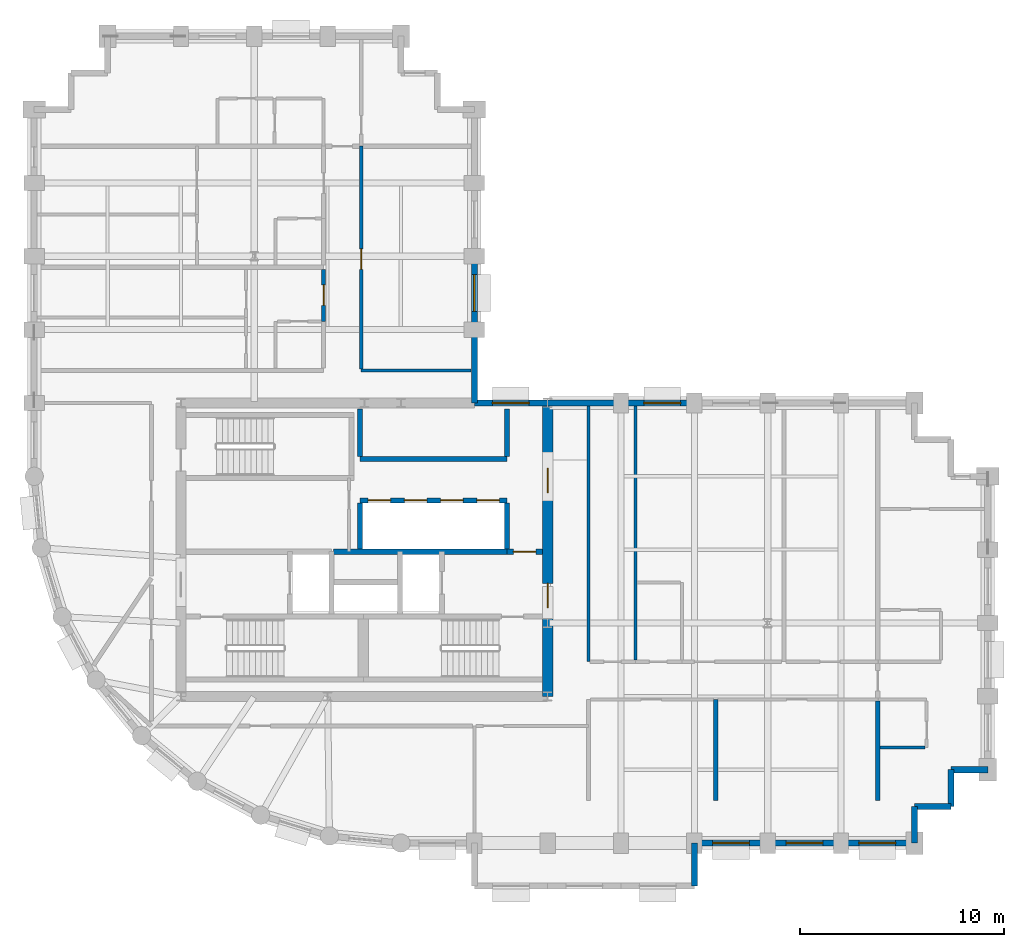
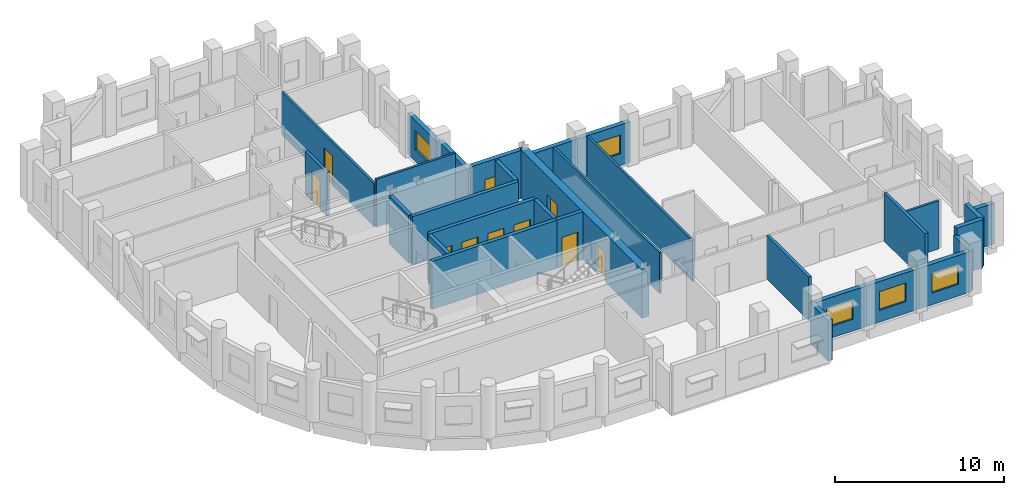
# One storey, part 5 of 11: 30 walls, 9 doors, 6 windows, 15 openings.
"""IFC4 building model written with IfcOpenShell, lengths in metres."""

from ifc_helpers import new_model, si_unit, direction, frame, frame_2d, origin, place, context, subcontext, project, spatial, rectangle, extrude, material, layer, layer_set, type_object, element, fill, save


model = new_model("IFC4")

# Units and contexts
model_context = context("Model", 3, precision=1e-05, world=origin(), true_north=direction((0.0, 1.0)))
body_context = subcontext(model_context, "Body", "Model", "MODEL_VIEW")
ifc_project = project(units=[si_unit("LENGTHUNIT", "METRE"), si_unit("AREAUNIT", "SQUARE_METRE"), si_unit("VOLUMEUNIT", "CUBIC_METRE"), si_unit("PLANEANGLEUNIT", "RADIAN"), si_unit("MASSUNIT", "GRAM", prefix="KILO")], contexts=[model_context])

# Site, building, storey
site_placement = place(None, origin())
site = spatial("IfcSite", under=ifc_project, at=site_placement, CompositionType="ELEMENT")
building_placement = place(site_placement, origin())
building = spatial("IfcBuilding", under=site, at=building_placement, Name="Solnavia Interchange Tower", CompositionType="ELEMENT")
storey_placement = place(building_placement, frame((0.0, 0.0, 165.60009765625)))
storey = spatial("IfcBuildingStorey", under=building, at=storey_placement, Name="L41", CompositionType="ELEMENT", Elevation=165.60009765625)

# Walls
ifc_material_1 = material(Name="Gypsum Acoustic Twin-Stud & Mineral Wool", Category="gypsum")
ifc_layer_1 = layer(ifc_material_1, 0.199951171875)
ifc_layer_set_1 = layer_set([ifc_layer_1], Name="Gypsum Acoustic Twin-Stud & Mineral Wool")
wall_type_1 = type_object("IfcWallType", Name="Wall-ApartmentParty-200", PredefinedType="PARTITIONING", material=ifc_layer_set_1)
wall_1_placement = place(storey_placement, frame((40.64990234375, 5.699951171875, 0.0), z_axis=(0.0, 0.0, 1.0), x_axis=(0.0, 1.0, 0.0)))
element("IfcWall", 1, at=wall_1_placement, inside=storey, type_object=wall_type_1, Name="PTW-L41-16 Interior partition wall", PredefinedType="PARTITIONING", context=body_context, shape_type="SweptSolid", body=[
    extrude(rectangle(XDim=4.949951171875, YDim=0.199951171875, at=frame_2d((2.47509765625, 0.0))), origin(), (0.0, 0.0, 1.0), 3.1298828125),
])
wall_2_placement = place(storey_placement, frame((48.60009765625, 5.699951171875, 0.0), z_axis=(0.0, 0.0, 1.0), x_axis=(0.0, 1.0, 0.0)))
element("IfcWall", 2, at=wall_2_placement, inside=storey, type_object=wall_type_1, Name="PTW-L41-22 Interior partition wall", PredefinedType="PARTITIONING", context=body_context, shape_type="SweptSolid", body=[
    extrude(rectangle(XDim=4.87109375, YDim=0.199951171875, at=frame_2d((2.435546875, 0.0))), origin(), (0.0, 0.0, 1.0), 3.46484375),
])

# Wall, opening, door
wall_3_placement = place(storey_placement, frame((21.39990234375, 29.199951171875, 0.0), z_axis=(0.0, 0.0, 1.0), x_axis=(0.0, 1.0, 0.0)))
wall_3 = element("IfcWall", 3, at=wall_3_placement, inside=storey, type_object=wall_type_1, Name="PTW-L41-37 Interior partition wall", PredefinedType="PARTITIONING", context=body_context, shape_type="SweptSolid", body=[
    extrude(rectangle(XDim=2.55615234375, YDim=0.199951171875, at=frame_2d((1.278076171875, 0.0))), origin(), (0.0, 0.0, 1.0), 3.1298828125),
])
opening_1_placement = place(wall_3_placement, frame((0.7939453125, 0.0, 0.0)))
opening_1 = element("IfcOpeningElement", 4, at=opening_1_placement, cuts=wall_3, Name="Opening DR-06", PredefinedType="OPENING", context=body_context, shape_type="SweptSolid", body=[
    extrude(rectangle(XDim=1.0, YDim=2.10009765625, at=frame_2d((0.5, 1.050048828125))), frame((0.0, 0.10986328125, 0.0), z_axis=(0.0, -1.0, 0.0), x_axis=(1.0, 0.0, 0.0)), (0.0, 0.0, 1.0), 0.219970703125),
])
ifc_material_2 = material(Name="Engineered Timber Acoustic Fire Door", Category="wood")
door_type_1 = type_object("IfcDoorType", Name="Door-FlatEntry-1000x2100", OperationType="SINGLE_SWING_LEFT", PredefinedType="DOOR", material=ifc_material_2)
door_1_placement = place(opening_1_placement, origin())
door_1 = element("IfcDoor", 5, at=door_1_placement, inside=storey, type_object=door_type_1, Name="DR-L41-16 Interior room door", OperationType="SINGLE_SWING_RIGHT", OverallHeight=2.10009765625, OverallWidth=1.0, PredefinedType="DOOR", context=body_context, shape_type="SweptSolid", body=[
    extrude(rectangle(XDim=1.0, YDim=2.10009765625, at=frame_2d((0.5, 1.050048828125))), frame((0.0, 0.02490234375, 0.0), z_axis=(0.0, -1.0, 0.0), x_axis=(1.0, 0.0, 0.0)), (0.0, 0.0, 1.0), 0.050048828125),
])
fill(opening_1, door_1)

# Wall
ifc_material_3 = material(Name="Concrete C40/50", Category="concrete")
ifc_layer_2 = layer(ifc_material_3, 0.300048828125)
ifc_layer_set_2 = layer_set([ifc_layer_2], Name="Concrete C40/50")
wall_type_2 = type_object("IfcWallType", Name="Wall-ExtSpandrel-300", PredefinedType="STANDARD", material=ifc_layer_set_2)
wall_4_placement = place(storey_placement, frame((39.60009765625, 3.60009765625, 0.0), z_axis=(0.0, 0.0, 1.0), x_axis=(0.0, -1.0, 0.0)))
element("IfcWall", 6, at=wall_4_placement, inside=storey, type_object=wall_type_2, Name="EXW-L41-06 Exterior precast spandrel wall", PredefinedType="STANDARD", context=body_context, shape_type="SweptSolid", body=[
    extrude(rectangle(XDim=2.10009765625, YDim=0.300048828125, at=frame_2d((1.050048828125, 0.0))), origin(), (0.0, 0.0, 1.0), 2.929931640625),
])

# Wall, opening, window
wall_5_placement = place(storey_placement, frame((43.199951171875, 3.60009765625, 0.0), z_axis=(0.0, 0.0, 1.0), x_axis=(-1.0, 0.0, 0.0)))
wall_5 = element("IfcWall", 7, at=wall_5_placement, inside=storey, type_object=wall_type_2, Name="EXW-L41-07 Exterior precast spandrel wall", PredefinedType="STANDARD", context=body_context, shape_type="SweptSolid", body=[
    extrude(rectangle(XDim=3.599853515625, YDim=0.300048828125, at=frame_2d((1.7998046875, 0.0))), origin(), (0.0, 0.0, 1.0), 2.929931640625),
])
opening_2_placement = place(wall_5_placement, frame((0.89990234375, 0.0, 0.85009765625)))
opening_2 = element("IfcOpeningElement", 8, at=opening_2_placement, cuts=wall_5, Name="Opening WIN-02", PredefinedType="OPENING", context=body_context, shape_type="SweptSolid", body=[
    extrude(rectangle(XDim=1.800048828125, YDim=1.35009765625, at=frame_2d((0.89990234375, 0.675048828125))), frame((0.0, 0.16015625, 0.0), z_axis=(0.0, -1.0, 0.0), x_axis=(1.0, 0.0, 0.0)), (0.0, 0.0, 1.0), 0.320068359375),
])
ifc_material_4 = material(Name="Thermal-Break Aluminium & Low-E Glass", Category="aluminium")
window_type = type_object("IfcWindowType", Name="Window-Ribbon-1800x1350", PartitioningType="SINGLE_PANEL", PredefinedType="WINDOW", material=ifc_material_4)
window_1_placement = place(opening_2_placement, origin())
window_1 = element("IfcWindow", 9, at=window_1_placement, inside=storey, type_object=window_type, Name="WIN-L41-07 Facade ribbon window", OverallHeight=1.35009765625, OverallWidth=1.800048828125, PartitioningType="SINGLE_PANEL", PredefinedType="WINDOW", context=body_context, shape_type="SweptSolid", body=[
    extrude(rectangle(XDim=1.800048828125, YDim=1.35009765625, at=frame_2d((0.89990234375, 0.675048828125))), frame((0.0, 0.030029296875, 0.0), z_axis=(0.0, -1.0, 0.0), x_axis=(1.0, 0.0, 0.0)), (0.0, 0.0, 1.0), 0.06005859375),
])
fill(opening_2, window_1)

wall_6_placement = place(storey_placement, frame((46.800048828125, 3.60009765625, 0.0), z_axis=(0.0, 0.0, 1.0), x_axis=(-1.0, 0.0, 0.0)))
wall_6 = element("IfcWall", 10, at=wall_6_placement, inside=storey, type_object=wall_type_2, Name="EXW-L41-08 Exterior precast spandrel wall", PredefinedType="STANDARD", context=body_context, shape_type="SweptSolid", body=[
    extrude(rectangle(XDim=3.60009765625, YDim=0.300048828125, at=frame_2d((1.800048828125, 0.0))), origin(), (0.0, 0.0, 1.0), 2.929931640625),
])
opening_3_placement = place(wall_6_placement, frame((0.89990234375, 0.0, 0.85009765625)))
opening_3 = element("IfcOpeningElement", 11, at=opening_3_placement, cuts=wall_6, Name="Opening WIN-02", PredefinedType="OPENING", context=body_context, shape_type="SweptSolid", body=[
    extrude(rectangle(XDim=1.800048828125, YDim=1.35009765625, at=frame_2d((0.89990234375, 0.675048828125))), frame((0.0, 0.16015625, 0.0), z_axis=(0.0, -1.0, 0.0), x_axis=(1.0, 0.0, 0.0)), (0.0, 0.0, 1.0), 0.320068359375),
])
window_2_placement = place(opening_3_placement, origin())
window_2 = element("IfcWindow", 12, at=window_2_placement, inside=storey, type_object=window_type, Name="WIN-L41-08 Facade ribbon window", OverallHeight=1.35009765625, OverallWidth=1.800048828125, PartitioningType="SINGLE_PANEL", PredefinedType="WINDOW", context=body_context, shape_type="SweptSolid", body=[
    extrude(rectangle(XDim=1.800048828125, YDim=1.35009765625, at=frame_2d((0.89990234375, 0.675048828125))), frame((0.0, 0.030029296875, 0.0), z_axis=(0.0, -1.0, 0.0), x_axis=(1.0, 0.0, 0.0)), (0.0, 0.0, 1.0), 0.06005859375),
])
fill(opening_3, window_2)

wall_7_placement = place(storey_placement, frame((50.39990234375, 3.60009765625, 0.0), z_axis=(0.0, 0.0, 1.0), x_axis=(-1.0, 0.0, 0.0)))
wall_7 = element("IfcWall", 13, at=wall_7_placement, inside=storey, type_object=wall_type_2, Name="EXW-L41-09 Exterior precast spandrel wall", PredefinedType="STANDARD", context=body_context, shape_type="SweptSolid", body=[
    extrude(rectangle(XDim=3.599853515625, YDim=0.300048828125, at=frame_2d((1.7998046875, 0.0))), origin(), (0.0, 0.0, 1.0), 2.929931640625),
])
opening_4_placement = place(wall_7_placement, frame((0.925048828125, 0.0, 0.85009765625)))
opening_4 = element("IfcOpeningElement", 14, at=opening_4_placement, cuts=wall_7, Name="Opening WIN-02", PredefinedType="OPENING", context=body_context, shape_type="SweptSolid", body=[
    extrude(rectangle(XDim=1.800048828125, YDim=1.35009765625, at=frame_2d((0.89990234375, 0.675048828125))), frame((0.0, 0.16015625, 0.0), z_axis=(0.0, -1.0, 0.0), x_axis=(1.0, 0.0, 0.0)), (0.0, 0.0, 1.0), 0.320068359375),
])
window_3_placement = place(opening_4_placement, origin())
window_3 = element("IfcWindow", 15, at=window_3_placement, inside=storey, type_object=window_type, Name="WIN-L41-09 Facade ribbon window", OverallHeight=1.35009765625, OverallWidth=1.800048828125, PartitioningType="SINGLE_PANEL", PredefinedType="WINDOW", context=body_context, shape_type="SweptSolid", body=[
    extrude(rectangle(XDim=1.800048828125, YDim=1.35009765625, at=frame_2d((0.89990234375, 0.675048828125))), frame((0.0, 0.030029296875, 0.0), z_axis=(0.0, -1.0, 0.0), x_axis=(1.0, 0.0, 0.0)), (0.0, 0.0, 1.0), 0.06005859375),
])
fill(opening_4, window_3)

# Walls
wall_8_placement = place(storey_placement, frame((50.39990234375, 5.39990234375, 0.0), z_axis=(0.0, 0.0, 1.0), x_axis=(0.0, -1.0, 0.0)))
element("IfcWall", 16, at=wall_8_placement, inside=storey, type_object=wall_type_2, Name="EXW-L41-10 Exterior precast spandrel wall", PredefinedType="STANDARD", context=body_context, shape_type="SweptSolid", body=[
    extrude(rectangle(XDim=1.7998046875, YDim=0.300048828125, at=frame_2d((0.89990234375, 0.0))), origin(), (0.0, 0.0, 1.0), 2.929931640625),
])
for number, where, z_axis, x_axis, name in (
    (17, (52.199951171875, 5.39990234375, 0.0), (0.0, 0.0, 1.0), (-1.0, 0.0, 0.0), "EXW-L41-11 Exterior precast spandrel wall"),
    (18, (52.199951171875, 7.199951171875, 0.0), (0.0, 0.0, 1.0), (0.0, -1.0, 0.0), "EXW-L41-12 Exterior precast spandrel wall"),
):
    element("IfcWall", number, at=place(storey_placement, frame(where, z_axis=z_axis, x_axis=x_axis)), inside=storey, type_object=wall_type_2, Name=name, PredefinedType="STANDARD", context=body_context, shape_type="SweptSolid", body=[
        extrude(rectangle(XDim=1.800048828125, YDim=0.300048828125, at=frame_2d((0.89990234375, 0.0))), origin(), (0.0, 0.0, 1.0), 3.46484375),
    ])
wall_9_placement = place(storey_placement, frame((54.0, 7.199951171875, 0.0), z_axis=(0.0, 0.0, 1.0), x_axis=(-1.0, 0.0, 0.0)))
element("IfcWall", 19, at=wall_9_placement, inside=storey, type_object=wall_type_2, Name="EXW-L41-13 Exterior precast spandrel wall", PredefinedType="STANDARD", context=body_context, shape_type="SweptSolid", body=[
    extrude(rectangle(XDim=1.800048828125, YDim=0.300048828125, at=frame_2d((0.89990234375, 0.0))), origin(), (0.0, 0.0, 1.0), 2.929931640625),
])

# Wall, opening, window
wall_10_placement = place(storey_placement, frame((36.0, 25.199951171875, 0.0), z_axis=(0.0, 0.0, 1.0), x_axis=(1.0, 0.0, 0.0)))
wall_10 = element("IfcWall", 20, at=wall_10_placement, inside=storey, type_object=wall_type_2, Name="EXW-L41-25 Exterior precast spandrel wall", PredefinedType="STANDARD", context=body_context, shape_type="SweptSolid", body=[
    extrude(rectangle(XDim=3.60009765625, YDim=0.300048828125, at=frame_2d((1.800048828125, 0.0))), origin(), (0.0, 0.0, 1.0), 2.929931640625),
])
opening_5_placement = place(wall_10_placement, frame((1.1201171875, 0.0, 0.85009765625)))
opening_5 = element("IfcOpeningElement", 21, at=opening_5_placement, cuts=wall_10, Name="Opening WIN-02", PredefinedType="OPENING", context=body_context, shape_type="SweptSolid", body=[
    extrude(rectangle(XDim=1.800048828125, YDim=1.35009765625, at=frame_2d((0.89990234375, 0.675048828125))), frame((0.0, 0.16015625, 0.0), z_axis=(0.0, -1.0, 0.0), x_axis=(1.0, 0.0, 0.0)), (0.0, 0.0, 1.0), 0.320068359375),
])
window_4_placement = place(opening_5_placement, origin())
window_4 = element("IfcWindow", 22, at=window_4_placement, inside=storey, type_object=window_type, Name="WIN-L41-25 Facade ribbon window", OverallHeight=1.35009765625, OverallWidth=1.800048828125, PartitioningType="SINGLE_PANEL", PredefinedType="WINDOW", context=body_context, shape_type="SweptSolid", body=[
    extrude(rectangle(XDim=1.800048828125, YDim=1.35009765625, at=frame_2d((0.89990234375, 0.675048828125))), frame((0.0, 0.030029296875, 0.0), z_axis=(0.0, -1.0, 0.0), x_axis=(1.0, 0.0, 0.0)), (0.0, 0.0, 1.0), 0.06005859375),
])
fill(opening_5, window_4)

# Wall
wall_11_placement = place(storey_placement, frame((32.39990234375, 25.199951171875, 0.0), z_axis=(0.0, 0.0, 1.0), x_axis=(1.0, 0.0, 0.0)))
element("IfcWall", 23, at=wall_11_placement, inside=storey, type_object=wall_type_2, Name="EXW-L41-26 Exterior precast spandrel wall", PredefinedType="STANDARD", context=body_context, shape_type="SweptSolid", body=[
    extrude(rectangle(XDim=3.60009765625, YDim=0.300048828125, at=frame_2d((1.800048828125, 0.0))), origin(), (0.0, 0.0, 1.0), 2.929931640625),
])

# Wall, opening, window
wall_12_placement = place(storey_placement, frame((28.800048828125, 25.199951171875, 0.0), z_axis=(0.0, 0.0, 1.0), x_axis=(1.0, 0.0, 0.0)))
wall_12 = element("IfcWall", 24, at=wall_12_placement, inside=storey, type_object=wall_type_2, Name="EXW-L41-27 Exterior precast spandrel wall", PredefinedType="STANDARD", context=body_context, shape_type="SweptSolid", body=[
    extrude(rectangle(XDim=3.599853515625, YDim=0.300048828125, at=frame_2d((1.7998046875, 0.0))), origin(), (0.0, 0.0, 1.0), 3.46484375),
])
opening_6_placement = place(wall_12_placement, frame((0.884033203125, 0.0, 0.85009765625)))
opening_6 = element("IfcOpeningElement", 25, at=opening_6_placement, cuts=wall_12, Name="Opening WIN-02", PredefinedType="OPENING", context=body_context, shape_type="SweptSolid", body=[
    extrude(rectangle(XDim=1.800048828125, YDim=1.35009765625, at=frame_2d((0.89990234375, 0.675048828125))), frame((0.0, 0.16015625, 0.0), z_axis=(0.0, -1.0, 0.0), x_axis=(1.0, 0.0, 0.0)), (0.0, 0.0, 1.0), 0.320068359375),
])
window_5_placement = place(opening_6_placement, origin())
window_5 = element("IfcWindow", 26, at=window_5_placement, inside=storey, type_object=window_type, Name="WIN-L41-27 Facade ribbon window", OverallHeight=1.35009765625, OverallWidth=1.800048828125, PartitioningType="SINGLE_PANEL", PredefinedType="WINDOW", context=body_context, shape_type="SweptSolid", body=[
    extrude(rectangle(XDim=1.800048828125, YDim=1.35009765625, at=frame_2d((0.89990234375, 0.675048828125))), frame((0.0, 0.030029296875, 0.0), z_axis=(0.0, -1.0, 0.0), x_axis=(1.0, 0.0, 0.0)), (0.0, 0.0, 1.0), 0.06005859375),
])
fill(opening_6, window_5)

# Wall
wall_13_placement = place(storey_placement, frame((28.800048828125, 28.800048828125, 0.0), z_axis=(0.0, 0.0, 1.0), x_axis=(0.0, -1.0, 0.0)))
element("IfcWall", 27, at=wall_13_placement, inside=storey, type_object=wall_type_2, Name="EXW-L41-28 Exterior precast spandrel wall", PredefinedType="STANDARD", context=body_context, shape_type="SweptSolid", body=[
    extrude(rectangle(XDim=3.60009765625, YDim=0.300048828125, at=frame_2d((1.800048828125, 0.0))), origin(), (0.0, 0.0, 1.0), 3.099853515625),
])

# Wall, opening, window
wall_14_placement = place(storey_placement, frame((28.800048828125, 32.39990234375, 0.0), z_axis=(0.0, 0.0, 1.0), x_axis=(0.0, -1.0, 0.0)))
wall_14 = element("IfcWall", 28, at=wall_14_placement, inside=storey, type_object=wall_type_2, Name="EXW-L41-29 Exterior precast spandrel wall", PredefinedType="STANDARD", context=body_context, shape_type="SweptSolid", body=[
    extrude(rectangle(XDim=3.599853515625, YDim=0.300048828125, at=frame_2d((1.7998046875, 0.0))), origin(), (0.0, 0.0, 1.0), 2.929931640625),
])
opening_7_placement = place(wall_14_placement, frame((0.89990234375, 0.0, 0.85009765625)))
opening_7 = element("IfcOpeningElement", 29, at=opening_7_placement, cuts=wall_14, Name="Opening WIN-02", PredefinedType="OPENING", context=body_context, shape_type="SweptSolid", body=[
    extrude(rectangle(XDim=1.800048828125, YDim=1.35009765625, at=frame_2d((0.89990234375, 0.675048828125))), frame((0.0, 0.16015625, 0.0), z_axis=(0.0, -1.0, 0.0), x_axis=(1.0, 0.0, 0.0)), (0.0, 0.0, 1.0), 0.320068359375),
])
window_6_placement = place(opening_7_placement, origin())
window_6 = element("IfcWindow", 30, at=window_6_placement, inside=storey, type_object=window_type, Name="WIN-L41-29 Facade ribbon window", OverallHeight=1.35009765625, OverallWidth=1.800048828125, PartitioningType="SINGLE_PANEL", PredefinedType="WINDOW", context=body_context, shape_type="SweptSolid", body=[
    extrude(rectangle(XDim=1.800048828125, YDim=1.35009765625, at=frame_2d((0.89990234375, 0.675048828125))), frame((0.0, 0.030029296875, 0.0), z_axis=(0.0, -1.0, 0.0), x_axis=(1.0, 0.0, 0.0)), (0.0, 0.0, 1.0), 0.06005859375),
])
fill(opening_7, window_6)

# Wall
ifc_material_5 = material(Name="Gypsum Plasterboard & Steel Stud", Category="steel")
ifc_layer_3 = layer(ifc_material_5, 0.14990234375)
ifc_layer_set_3 = layer_set([ifc_layer_3], Name="Gypsum Plasterboard & Steel Stud")
wall_type_3 = type_object("IfcWallType", Name="Wall-Partition-150", PredefinedType="PARTITIONING", material=ifc_layer_set_3)
wall_15_placement = place(storey_placement, frame((23.25, 26.800048828125, 0.0), z_axis=(0.0, 0.0, 1.0), x_axis=(1.0, 0.0, 0.0)))
element("IfcWall", 31, at=wall_15_placement, inside=storey, type_object=wall_type_3, Name="PTW-L41-48 Interior partition wall", PredefinedType="PARTITIONING", context=body_context, shape_type="SweptSolid", body=[
    extrude(rectangle(XDim=5.39599609375, YDim=0.14990234375, at=frame_2d((2.697998046875, 0.0))), origin(), (0.0, 0.0, 1.0), 3.46484375),
])

# Wall, opening, door
wall_16_placement = place(storey_placement, frame((23.25, 26.87890625, 0.0), z_axis=(0.0, 0.0, 1.0), x_axis=(0.0, 1.0, 0.0)))
wall_16 = element("IfcWall", 32, at=wall_16_placement, inside=storey, type_object=wall_type_3, Name="PTW-L41-49 Interior partition wall", PredefinedType="PARTITIONING", context=body_context, shape_type="SweptSolid", body=[
    extrude(rectangle(XDim=10.921142578125, YDim=0.14990234375, at=frame_2d((5.46044921875, 0.0))), origin(), (0.0, 0.0, 1.0), 3.099853515625),
])
opening_8_placement = place(wall_16_placement, frame((4.881103515625, 0.0, 0.0)))
opening_8 = element("IfcOpeningElement", 33, at=opening_8_placement, cuts=wall_16, Name="Opening DR-07", PredefinedType="OPENING", context=body_context, shape_type="SweptSolid", body=[
    extrude(rectangle(XDim=1.0, YDim=2.10009765625, at=frame_2d((0.5, 1.050048828125))), frame((0.0, 0.0849609375, 0.0), z_axis=(0.0, -1.0, 0.0), x_axis=(1.0, 0.0, 0.0)), (0.0, 0.0, 1.0), 0.169921875),
])
ifc_material_6 = material(Name="Timber & Acoustic Glazed Office Door", Category="wood")
door_type_2 = type_object("IfcDoorType", Name="Door-Office-1000x2100", OperationType="SINGLE_SWING_RIGHT", PredefinedType="DOOR", material=ifc_material_6)
door_2_placement = place(opening_8_placement, origin())
door_2 = element("IfcDoor", 34, at=door_2_placement, inside=storey, type_object=door_type_2, Name="DR-L41-23 Interior room door", OperationType="SINGLE_SWING_LEFT", OverallHeight=2.10009765625, OverallWidth=1.0, PredefinedType="DOOR", context=body_context, shape_type="SweptSolid", body=[
    extrude(rectangle(XDim=1.0, YDim=2.10009765625, at=frame_2d((0.5, 1.050048828125))), frame((0.0, 0.02490234375, 0.0), z_axis=(0.0, -1.0, 0.0), x_axis=(1.0, 0.0, 0.0)), (0.0, 0.0, 1.0), 0.050048828125),
])
fill(opening_8, door_2)

# Wall
ifc_layer_4 = layer(ifc_material_3, 0.25)
ifc_layer_set_4 = layer_set([ifc_layer_4], Name="Concrete C40/50")
wall_type_4 = type_object("IfcWallType", Name="Wall-ShaftPart-250", PredefinedType="PARTITIONING", material=ifc_layer_set_4)
wall_17_placement = place(storey_placement, frame((21.8798828125, 17.89990234375, 0.0), z_axis=(0.0, 0.0, 1.0), x_axis=(1.0, 0.0, 0.0)))
element("IfcWall", 35, at=wall_17_placement, inside=storey, type_object=wall_type_4, Name="SHW-L41-FFLE-N1 Core shaft wall", PredefinedType="PARTITIONING", context=body_context, shape_type="SweptSolid", body=[
    extrude(rectangle(XDim=8.52001953125, YDim=0.25, at=frame_2d((4.260009765625, 0.0))), origin(), (0.0, 0.0, 1.0), 3.46484375),
])

# Wall, opening, door
wall_18_placement = place(storey_placement, frame((30.39990234375, 17.89990234375, 0.0), z_axis=(0.0, 0.0, 1.0), x_axis=(1.0, 0.0, 0.0)))
wall_18 = element("IfcWall", 36, at=wall_18_placement, inside=storey, type_object=wall_type_4, Name="SHW-L41-FFLE-N2 Core shaft wall", PredefinedType="PARTITIONING", context=body_context, shape_type="SweptSolid", body=[
    extrude(rectangle(XDim=1.75, YDim=0.25, at=frame_2d((0.875, 0.0))), origin(), (0.0, 0.0, 1.0), 3.46484375),
])
opening_9_placement = place(wall_18_placement, frame((0.320068359375, 0.0, 0.0)))
opening_9 = element("IfcOpeningElement", 37, at=opening_9_placement, cuts=wall_18, Name="Opening DR-01", PredefinedType="OPENING", context=body_context, shape_type="SweptSolid", body=[
    extrude(rectangle(XDim=1.10009765625, YDim=2.10009765625, at=frame_2d((0.550048828125, 1.050048828125))), frame((0.0, 0.135009765625, 0.0), z_axis=(0.0, -1.0, 0.0), x_axis=(1.0, 0.0, 0.0)), (0.0, 0.0, 1.0), 0.27001953125),
])
ifc_material_7 = material(Name="Steel Fire-Rated Leaf & Frame", Category="steel")
door_type_3 = type_object("IfcDoorType", Name="Door-StairFire-1100x2100", OperationType="SINGLE_SWING_LEFT", PredefinedType="DOOR", material=ifc_material_7)
door_3_placement = place(opening_9_placement, origin())
door_3 = element("IfcDoor", 38, at=door_3_placement, inside=storey, type_object=door_type_3, Name="DR-L41-LLC Core fire door", OperationType="SINGLE_SWING_LEFT", OverallHeight=2.10009765625, OverallWidth=1.10009765625, PredefinedType="DOOR", context=body_context, shape_type="SweptSolid", body=[
    extrude(rectangle(XDim=1.10009765625, YDim=2.10009765625, at=frame_2d((0.550048828125, 1.050048828125))), frame((0.0, 0.02490234375, 0.0), z_axis=(0.0, -1.0, 0.0), x_axis=(1.0, 0.0, 0.0)), (0.0, 0.0, 1.0), 0.050048828125),
])
fill(opening_9, door_3)

# Wall, openings, doors
wall_19_placement = place(storey_placement, frame((23.179931640625, 20.419921875, 0.0), z_axis=(0.0, 0.0, 1.0), x_axis=(1.0, 0.0, 0.0)))
wall_19 = element("IfcWall", 39, at=wall_19_placement, inside=storey, type_object=wall_type_4, Name="SHW-L41-B2N Core shaft wall", PredefinedType="PARTITIONING", context=body_context, shape_type="SweptSolid", body=[
    extrude(rectangle(XDim=7.219970703125, YDim=0.25, at=frame_2d((3.60986328125, 0.0))), origin(), (0.0, 0.0, 1.0), 3.46484375),
])
opening_10_placement = place(wall_19_placement, frame((0.409912109375, 0.0, 0.0)))
opening_10 = element("IfcOpeningElement", 40, at=opening_10_placement, cuts=wall_19, Name="Opening LD-01", PredefinedType="OPENING", context=body_context, shape_type="SweptSolid", body=[
    extrude(rectangle(XDim=1.10009765625, YDim=2.10009765625, at=frame_2d((0.550048828125, 1.050048828125))), frame((0.0, 0.135009765625, 0.0), z_axis=(0.0, -1.0, 0.0), x_axis=(1.0, 0.0, 0.0)), (0.0, 0.0, 1.0), 0.27001953125),
])
opening_11_placement = place(wall_19_placement, frame((2.18994140625, 0.0, 0.0)))
opening_11 = element("IfcOpeningElement", 41, at=opening_11_placement, cuts=wall_19, Name="Opening LD-01", PredefinedType="OPENING", context=body_context, shape_type="SweptSolid", body=[
    extrude(rectangle(XDim=1.10009765625, YDim=2.10009765625, at=frame_2d((0.550048828125, 1.050048828125))), frame((0.0, 0.135009765625, 0.0), z_axis=(0.0, -1.0, 0.0), x_axis=(1.0, 0.0, 0.0)), (0.0, 0.0, 1.0), 0.27001953125),
])
opening_12_placement = place(wall_19_placement, frame((3.969970703125, 0.0, 0.0)))
opening_12 = element("IfcOpeningElement", 42, at=opening_12_placement, cuts=wall_19, Name="Opening LD-01", PredefinedType="OPENING", context=body_context, shape_type="SweptSolid", body=[
    extrude(rectangle(XDim=1.10009765625, YDim=2.10009765625, at=frame_2d((0.550048828125, 1.050048828125))), frame((0.0, 0.135009765625, 0.0), z_axis=(0.0, -1.0, 0.0), x_axis=(1.0, 0.0, 0.0)), (0.0, 0.0, 1.0), 0.27001953125),
])
opening_13_placement = place(wall_19_placement, frame((5.75, 0.0, 0.0)))
opening_13 = element("IfcOpeningElement", 43, at=opening_13_placement, cuts=wall_19, Name="Opening LD-01", PredefinedType="OPENING", context=body_context, shape_type="SweptSolid", body=[
    extrude(rectangle(XDim=1.10009765625, YDim=2.10009765625, at=frame_2d((0.550048828125, 1.050048828125))), frame((0.0, 0.135009765625, 0.0), z_axis=(0.0, -1.0, 0.0), x_axis=(1.0, 0.0, 0.0)), (0.0, 0.0, 1.0), 0.27001953125),
])
ifc_material_8 = material(Name="Brushed Stainless Steel Sliding Door", Category="steel")
door_type_4 = type_object("IfcDoorType", Name="Door-LiftLanding-1100x2100", OperationType="SLIDING_TO_LEFT", PredefinedType="DOOR", material=ifc_material_8)
door_4_placement = place(opening_10_placement, origin())
door_4 = element("IfcDoor", 44, at=door_4_placement, inside=storey, type_object=door_type_4, Name="LD-L41-B2-1 Lift landing sliding door", OperationType="SLIDING_TO_LEFT", OverallHeight=2.10009765625, OverallWidth=1.10009765625, PredefinedType="DOOR", context=body_context, shape_type="SweptSolid", body=[
    extrude(rectangle(XDim=1.10009765625, YDim=2.10009765625, at=frame_2d((0.550048828125, 1.050048828125))), frame((0.0, 0.02490234375, 0.0), z_axis=(0.0, -1.0, 0.0), x_axis=(1.0, 0.0, 0.0)), (0.0, 0.0, 1.0), 0.050048828125),
])
fill(opening_10, door_4)
door_5_placement = place(opening_11_placement, origin())
door_5 = element("IfcDoor", 45, at=door_5_placement, inside=storey, type_object=door_type_4, Name="LD-L41-B2-2 Lift landing sliding door", OperationType="SLIDING_TO_LEFT", OverallHeight=2.10009765625, OverallWidth=1.10009765625, PredefinedType="DOOR", context=body_context, shape_type="SweptSolid", body=[
    extrude(rectangle(XDim=1.10009765625, YDim=2.10009765625, at=frame_2d((0.550048828125, 1.050048828125))), frame((0.0, 0.02490234375, 0.0), z_axis=(0.0, -1.0, 0.0), x_axis=(1.0, 0.0, 0.0)), (0.0, 0.0, 1.0), 0.050048828125),
])
fill(opening_11, door_5)
door_6_placement = place(opening_12_placement, origin())
door_6 = element("IfcDoor", 46, at=door_6_placement, inside=storey, type_object=door_type_4, Name="LD-L41-B2-3 Lift landing sliding door", OperationType="SLIDING_TO_LEFT", OverallHeight=2.10009765625, OverallWidth=1.10009765625, PredefinedType="DOOR", context=body_context, shape_type="SweptSolid", body=[
    extrude(rectangle(XDim=1.10009765625, YDim=2.10009765625, at=frame_2d((0.550048828125, 1.050048828125))), frame((0.0, 0.02490234375, 0.0), z_axis=(0.0, -1.0, 0.0), x_axis=(1.0, 0.0, 0.0)), (0.0, 0.0, 1.0), 0.050048828125),
])
fill(opening_12, door_6)
door_7_placement = place(opening_13_placement, origin())
door_7 = element("IfcDoor", 47, at=door_7_placement, inside=storey, type_object=door_type_4, Name="LD-L41-B2-4 Lift landing sliding door", OperationType="SLIDING_TO_LEFT", OverallHeight=2.10009765625, OverallWidth=1.10009765625, PredefinedType="DOOR", context=body_context, shape_type="SweptSolid", body=[
    extrude(rectangle(XDim=1.10009765625, YDim=2.10009765625, at=frame_2d((0.550048828125, 1.050048828125))), frame((0.0, 0.02490234375, 0.0), z_axis=(0.0, -1.0, 0.0), x_axis=(1.0, 0.0, 0.0)), (0.0, 0.0, 1.0), 0.050048828125),
])
fill(opening_13, door_7)

# Walls
for number, where, z_axis, x_axis, name in (
    (48, (23.179931640625, 18.02490234375, 0.0), (0.0, 0.0, 1.0), (0.0, 1.0, 0.0), "SHW-L41-B2W Core shaft wall"),
    (49, (30.39990234375, 18.02490234375, 0.0), (0.0, 0.0, 1.0), (0.0, 1.0, 0.0), "SHW-L41-B2E Core shaft wall"),
):
    element("IfcWall", number, at=place(storey_placement, frame(where, z_axis=z_axis, x_axis=x_axis)), inside=storey, type_object=wall_type_4, Name=name, PredefinedType="PARTITIONING", context=body_context, shape_type="SweptSolid", body=[
        extrude(rectangle(XDim=2.27001953125, YDim=0.25, at=frame_2d((1.135009765625, 0.0))), origin(), (0.0, 0.0, 1.0), 3.46484375),
    ])
wall_20_placement = place(storey_placement, frame((23.179931640625, 22.4599609375, 0.0), z_axis=(0.0, 0.0, 1.0), x_axis=(1.0, 0.0, 0.0)))
element("IfcWall", 50, at=wall_20_placement, inside=storey, type_object=wall_type_4, Name="SHW-L41-B3S Core shaft wall", PredefinedType="PARTITIONING", context=body_context, shape_type="SweptSolid", body=[
    extrude(rectangle(XDim=7.219970703125, YDim=0.25, at=frame_2d((3.60986328125, 0.0))), origin(), (0.0, 0.0, 1.0), 3.46484375),
])
for number, where, z_axis, x_axis, name in (
    (51, (23.179931640625, 22.5849609375, 0.0), (0.0, 0.0, 1.0), (0.0, 1.0, 0.0), "SHW-L41-B3W Core shaft wall"),
    (52, (30.39990234375, 22.5849609375, 0.0), (0.0, 0.0, 1.0), (0.0, 1.0, 0.0), "SHW-L41-B3E Core shaft wall"),
):
    element("IfcWall", number, at=place(storey_placement, frame(where, z_axis=z_axis, x_axis=x_axis)), inside=storey, type_object=wall_type_4, Name=name, PredefinedType="PARTITIONING", context=body_context, shape_type="SweptSolid", body=[
        extrude(rectangle(XDim=2.31494140625, YDim=0.25, at=frame_2d((1.157470703125, 0.0))), origin(), (0.0, 0.0, 1.0), 3.46484375),
    ])

# Wall, openings, doors
ifc_material_9 = material(Name="Concrete C60/75", Category="concrete")
ifc_layer_5 = layer(ifc_material_9, 0.5)
ifc_layer_set_5 = layer_set([ifc_layer_5], Name="Concrete C60/75")
wall_type_5 = type_object("IfcWallType", Name="Wall-ShearCore-500", PredefinedType="SHEAR", material=ifc_layer_set_5)
wall_21_placement = place(storey_placement, frame((32.39990234375, 10.800048828125, 0.0), z_axis=(0.0, 0.0, 1.0), x_axis=(0.0, 1.0, 0.0)))
wall_21 = element("IfcWall", 53, at=wall_21_placement, inside=storey, type_object=wall_type_5, Name="CRW-L41-E Core shear wall", PredefinedType="SHEAR", context=body_context, shape_type="SweptSolid", body=[
    extrude(rectangle(XDim=14.39990234375, YDim=0.5, at=frame_2d((7.199951171875, 0.0))), origin(), (0.0, 0.0, 1.0), 3.47998046875),
])
opening_14_placement = place(wall_21_placement, frame((4.35009765625, 0.0, 0.0)))
opening_14 = element("IfcOpeningElement", 54, at=opening_14_placement, cuts=wall_21, Name="Opening DR-02", PredefinedType="OPENING", context=body_context, shape_type="SweptSolid", body=[
    extrude(rectangle(XDim=1.199951171875, YDim=2.10009765625, at=frame_2d((0.60009765625, 1.050048828125))), frame((0.0, 0.260009765625, 0.0), z_axis=(0.0, -1.0, 0.0), x_axis=(1.0, 0.0, 0.0)), (0.0, 0.0, 1.0), 0.52001953125),
])
opening_15_placement = place(wall_21_placement, frame((10.0, 0.0, 0.0)))
opening_15 = element("IfcOpeningElement", 55, at=opening_15_placement, cuts=wall_21, Name="Opening DR-02", PredefinedType="OPENING", context=body_context, shape_type="SweptSolid", body=[
    extrude(rectangle(XDim=1.199951171875, YDim=2.10009765625, at=frame_2d((0.60009765625, 1.050048828125))), frame((0.0, 0.260009765625, 0.0), z_axis=(0.0, -1.0, 0.0), x_axis=(1.0, 0.0, 0.0)), (0.0, 0.0, 1.0), 0.52001953125),
])
ifc_material_10 = material(Name="Steel Fire-Rated Vision-Panel Door", Category="steel")
door_type_5 = type_object("IfcDoorType", Name="Door-LobbyFire-1200x2100", OperationType="SINGLE_SWING_RIGHT", PredefinedType="DOOR", material=ifc_material_10)
door_8_placement = place(opening_14_placement, origin())
door_8 = element("IfcDoor", 56, at=door_8_placement, inside=storey, type_object=door_type_5, Name="DR-L41-FFL2E Core fire door", OperationType="SINGLE_SWING_LEFT", OverallHeight=2.10009765625, OverallWidth=1.199951171875, PredefinedType="DOOR", context=body_context, shape_type="SweptSolid", body=[
    extrude(rectangle(XDim=1.199951171875, YDim=2.10009765625, at=frame_2d((0.60009765625, 1.050048828125))), frame((0.0, 0.02490234375, 0.0), z_axis=(0.0, -1.0, 0.0), x_axis=(1.0, 0.0, 0.0)), (0.0, 0.0, 1.0), 0.050048828125),
])
fill(opening_14, door_8)
door_9_placement = place(opening_15_placement, origin())
door_9 = element("IfcDoor", 57, at=door_9_placement, inside=storey, type_object=door_type_5, Name="DR-L41-LLE Core fire door", OperationType="SINGLE_SWING_RIGHT", OverallHeight=2.10009765625, OverallWidth=1.199951171875, PredefinedType="DOOR", context=body_context, shape_type="SweptSolid", body=[
    extrude(rectangle(XDim=1.199951171875, YDim=2.10009765625, at=frame_2d((0.60009765625, 1.050048828125))), frame((0.0, 0.02490234375, 0.0), z_axis=(0.0, -1.0, 0.0), x_axis=(1.0, 0.0, 0.0)), (0.0, 0.0, 1.0), 0.050048828125),
])
fill(opening_15, door_9)

# Walls
ifc_material_11 = material(Name="Moisture-Resistant Gypsum & Steel Stud", Category="steel")
ifc_layer_6 = layer(ifc_material_11, 0.14990234375)
ifc_layer_set_6 = layer_set([ifc_layer_6], Name="Moisture-Resistant Gypsum & Steel Stud")
wall_type_6 = type_object("IfcWallType", Name="Wall-WetRoom-150", PredefinedType="PARTITIONING", material=ifc_layer_set_6)
wall_22_placement = place(storey_placement, frame((34.39990234375, 12.5, 0.0), z_axis=(0.0, 0.0, 1.0), x_axis=(0.0, 1.0, 0.0)))
element("IfcWall", 58, at=wall_22_placement, inside=storey, type_object=wall_type_6, Name="PTW-L41-01 Interior partition wall", PredefinedType="PARTITIONING", context=body_context, shape_type="SweptSolid", body=[
    extrude(rectangle(XDim=12.5458984375, YDim=0.14990234375, at=frame_2d((6.27294921875, 0.0))), origin(), (0.0, 0.0, 1.0), 2.929931640625),
])
wall_23_placement = place(storey_placement, frame((36.699951171875, 12.5791015625, 0.0), z_axis=(0.0, 0.0, 1.0), x_axis=(0.0, 1.0, 0.0)))
element("IfcWall", 59, at=wall_23_placement, inside=storey, type_object=wall_type_6, Name="PTW-L41-03 Interior partition wall", PredefinedType="PARTITIONING", context=body_context, shape_type="SweptSolid", body=[
    extrude(rectangle(XDim=12.466796875, YDim=0.14990234375, at=frame_2d((6.2333984375, 0.0))), origin(), (0.0, 0.0, 1.0), 2.929931640625),
])
wall_24_placement = place(storey_placement, frame((48.7041015625, 8.300048828125, 0.0), z_axis=(0.0, 0.0, 1.0), x_axis=(1.0, 0.0, 0.0)))
element("IfcWall", 60, at=wall_24_placement, inside=storey, type_object=wall_type_6, Name="PTW-L41-27 Interior partition wall", PredefinedType="PARTITIONING", context=body_context, shape_type="SweptSolid", body=[
    extrude(rectangle(XDim=2.216796875, YDim=0.14990234375, at=frame_2d((1.1083984375, 0.0))), origin(), (0.0, 0.0, 1.0), 3.46484375),
])

save(model, "model.ifc")
